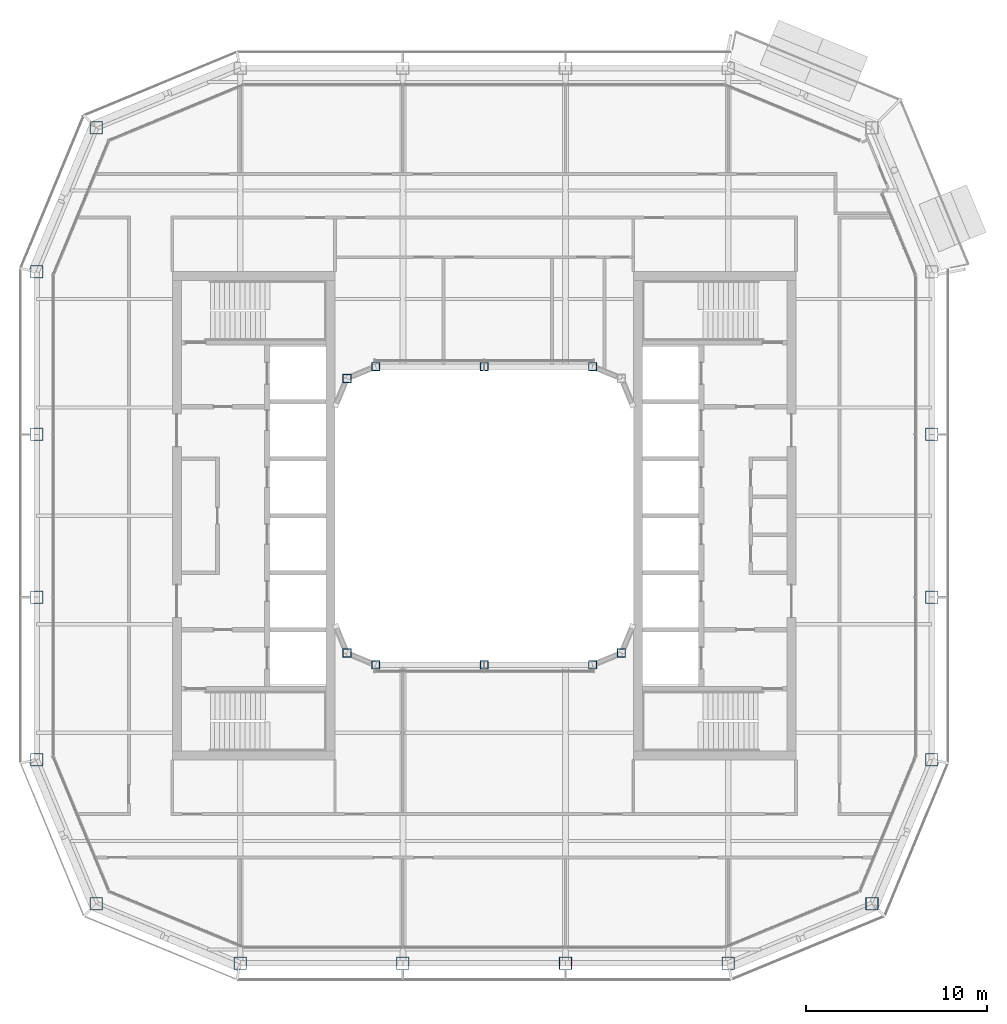
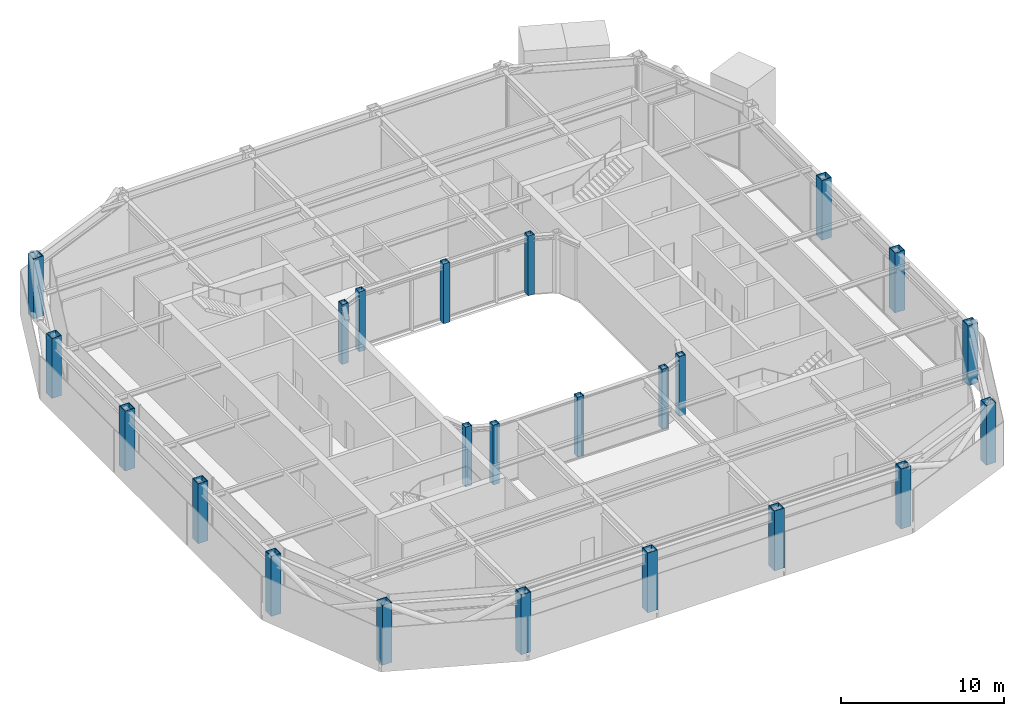
# One storey, part 1 of 21: 23 columns.
"""IFC4 building model written with IfcOpenShell, lengths in metres."""

from ifc_helpers import new_model, si_unit, direction, frame, origin, origin_2d, place, context, subcontext, project, spatial, hollow_rectangle, extrude, material, material_profile, profile_set, type_object, element, save


model = new_model("IFC4")

# Units and contexts
model_context = context("Model", 3, precision=1e-05, world=origin(), true_north=direction((0.0, 1.0)))
body_context = subcontext(model_context, "Body", "Model", "MODEL_VIEW")
ifc_project = project(units=[si_unit("LENGTHUNIT", "METRE"), si_unit("AREAUNIT", "SQUARE_METRE"), si_unit("VOLUMEUNIT", "CUBIC_METRE"), si_unit("PLANEANGLEUNIT", "RADIAN"), si_unit("MASSUNIT", "GRAM", prefix="KILO")], contexts=[model_context])

# Site, building, storey
site_placement = place(None, origin())
site = spatial("IfcSite", under=ifc_project, at=site_placement, CompositionType="ELEMENT")
building_placement = place(site_placement, origin())
building = spatial("IfcBuilding", under=site, at=building_placement, Name="Siwar Civic Tower", CompositionType="ELEMENT")
storey_placement = place(building_placement, frame((0.0, 0.0, 325.699951171875)))
storey = spatial("IfcBuildingStorey", under=building, at=storey_placement, Name="L70", CompositionType="ELEMENT", Elevation=325.699951171875)

# Columns
ifc_material_1 = material(Name="Steel S355", Category="steel")
ifc_material_profile_1 = material_profile(ifc_material_1, hollow_rectangle(XDim=0.699951171875, YDim=0.699951171875, WallThickness=0.035888671875, at=origin_2d()), Name="BOX700x700x36")
ifc_profile_set_1 = profile_set([ifc_material_profile_1], Name="Steel S355")
column_type_1 = type_object("IfcColumnType", Name="STR-COL-BOX700x700x36", PredefinedType="COLUMN", material=ifc_profile_set_1)
for number, where, z_axis, x_axis, name in (
    (1, (-13.5, -24.75, 0.0), (0.0, 0.0, 1.0), (1.0, 0.0, 0.0), "L70/col/S-0"),
    (2, (-4.5, -24.75, 0.0), (0.0, 0.0, 1.0), (1.0, 0.0, 0.0), "L70/col/S-1"),
    (3, (4.5, -24.75, 0.0), (0.0, 0.0, 1.0), (1.0, 0.0, 0.0), "L70/col/S-2"),
    (4, (13.5, -24.75, 0.0), (0.0, 0.0, 1.0), (1.0, 0.0, 0.0), "L70/col/SE1-0"),
    (5, (21.454833984375, -21.454833984375, 0.0), (0.0, 0.0, 1.0), (1.0, 0.0, 0.0), "L70/col/SE2-0"),
    (6, (24.75, -13.5, 0.0), (0.0, 0.0, 1.0), (1.0, 0.0, 0.0), "L70/col/E-0"),
    (7, (24.75, -4.5, 0.0), (0.0, 0.0, 1.0), (1.0, 0.0, 0.0), "L70/col/E-1"),
    (8, (24.75, 4.5, 0.0), (0.0, 0.0, 1.0), (1.0, 0.0, 0.0), "L70/col/E-2"),
    (9, (-21.454833984375, 21.454833984375, 0.0), (0.0, 0.0, 1.0), (1.0, 0.0, 0.0), "L70/col/NW2-0"),
    (10, (-24.75, 13.5, 0.0), (0.0, 0.0, 1.0), (1.0, 0.0, 0.0), "L70/col/W-0"),
    (11, (-24.75, 4.5, 0.0), (0.0, 0.0, 1.0), (1.0, 0.0, 0.0), "L70/col/W-1"),
    (12, (-24.75, -4.5, 0.0), (0.0, 0.0, 1.0), (1.0, 0.0, 0.0), "L70/col/W-2"),
    (13, (-24.75, -13.5, 0.0), (0.0, 0.0, 1.0), (1.0, 0.0, 0.0), "L70/col/SW1-0"),
    (14, (-21.454833984375, -21.454833984375, 0.0), (0.0, 0.0, 1.0), (1.0, 0.0, 0.0), "L70/col/SW2-0"),
):
    element("IfcColumn", number, at=place(storey_placement, frame(where, z_axis=z_axis, x_axis=x_axis)), inside=storey, type_object=column_type_1, Name=name, PredefinedType="COLUMN", context=body_context, shape_type="SweptSolid", body=[
        extrude(hollow_rectangle(XDim=0.699951171875, YDim=0.699951171875, WallThickness=0.035888671875, at=origin_2d()), origin(), (0.0, 0.0, 1.0), 4.5),
    ])
ifc_material_2 = material(Name="Steel S355", Category="steel")
ifc_material_profile_2 = material_profile(ifc_material_2, hollow_rectangle(XDim=0.449951171875, YDim=0.449951171875, WallThickness=0.02197265625, at=origin_2d()), Name="BOX450x450x22")
ifc_profile_set_2 = profile_set([ifc_material_profile_2], Name="Steel S355")
column_type_2 = type_object("IfcColumnType", Name="STR-ICOL-BOX450x450x22", PredefinedType="COLUMN", material=ifc_profile_set_2)
for number, where, z_axis, x_axis, name in (
    (15, (-7.591064453125, -7.591064453125, 0.0), (0.0, 0.0, 1.0), (1.0, 0.0, 0.0), "L70/col/IS-0"),
    (16, (-6.0, -8.25, 0.0), (0.0, 0.0, 1.0), (1.0, 0.0, 0.0), "L70/col/IS-1"),
    (17, (0.0, -8.25, 0.0), (0.0, 0.0, 1.0), (1.0, 0.0, 0.0), "L70/col/IS-2"),
    (18, (6.0, -8.25, 0.0), (0.0, 0.0, 1.0), (1.0, 0.0, 0.0), "L70/col/IS-3"),
    (19, (7.591064453125, -7.591064453125, 0.0), (0.0, 0.0, 1.0), (1.0, 0.0, 0.0), "L70/col/IS-4"),
    (20, (-7.591064453125, 7.591064453125, 0.0), (0.0, 0.0, 1.0), (1.0, 0.0, 0.0), "L70/col/IN-0"),
    (21, (-6.0, 8.25, 0.0), (0.0, 0.0, 1.0), (1.0, 0.0, 0.0), "L70/col/IN-1"),
    (22, (0.0, 8.25, 0.0), (0.0, 0.0, 1.0), (1.0, 0.0, 0.0), "L70/col/IN-2"),
    (23, (6.0, 8.25, 0.0), (0.0, 0.0, 1.0), (1.0, 0.0, 0.0), "L70/col/IN-3"),
):
    element("IfcColumn", number, at=place(storey_placement, frame(where, z_axis=z_axis, x_axis=x_axis)), inside=storey, type_object=column_type_2, Name=name, PredefinedType="COLUMN", context=body_context, shape_type="SweptSolid", body=[
        extrude(hollow_rectangle(XDim=0.449951171875, YDim=0.449951171875, WallThickness=0.02197265625, at=origin_2d()), origin(), (0.0, 0.0, 1.0), 4.5),
    ])

save(model, "model.ifc")
